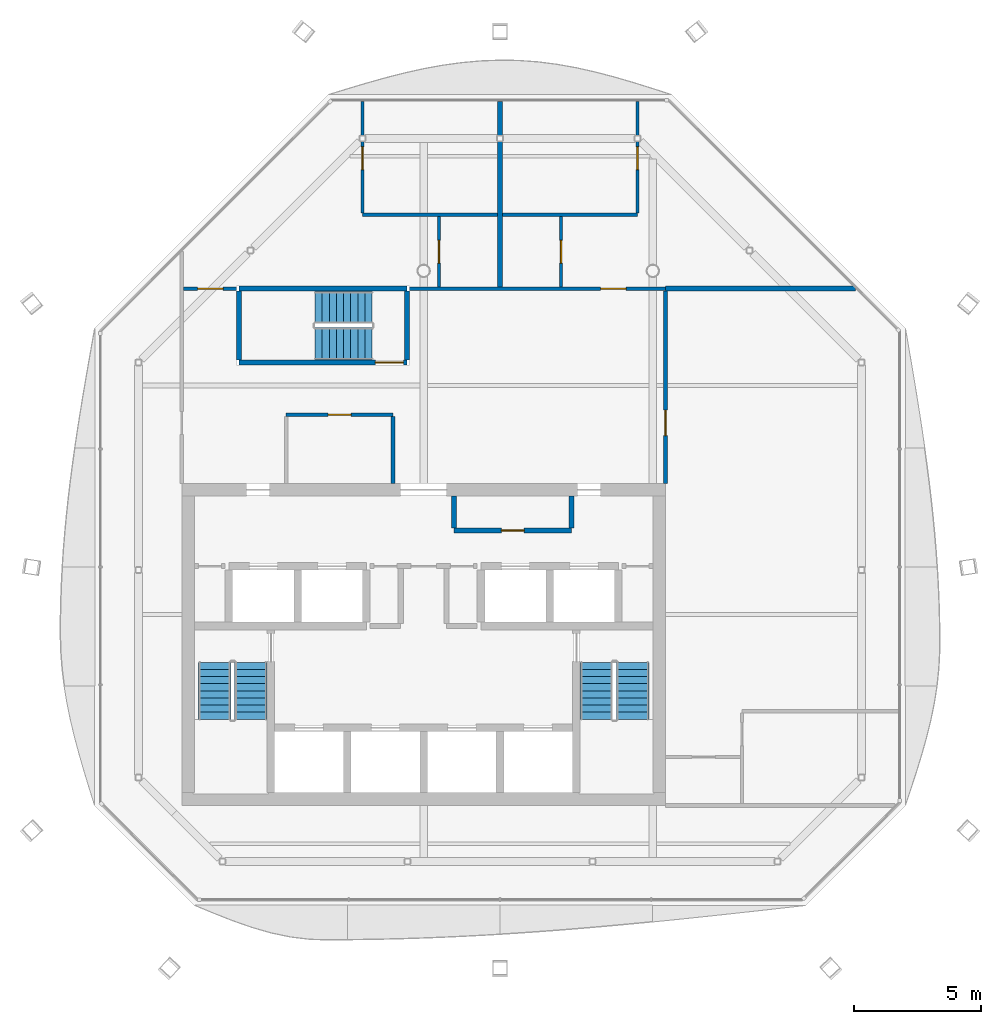
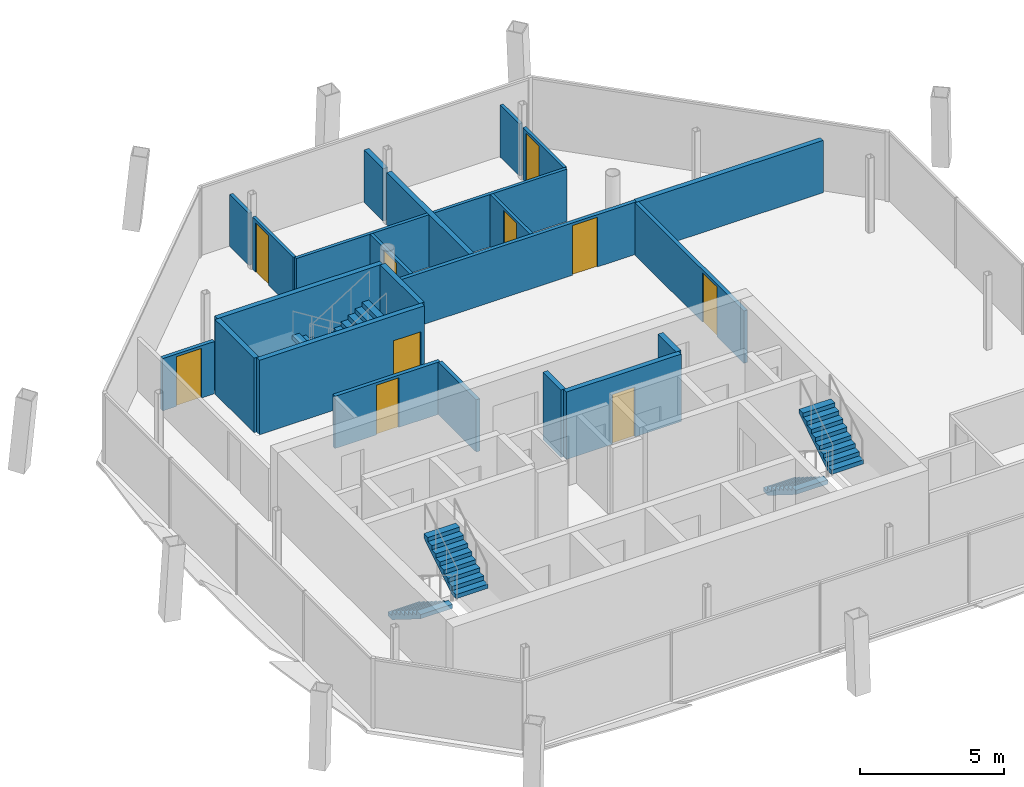
# One storey, part 10 of 13: 22 walls, 10 doors, 6 stair flights, 10 openings, 3 elements without a shape of their own.
"""IFC4 building model written with IfcOpenShell, lengths in metres."""

from ifc_helpers import new_model, si_unit, direction, frame, frame_2d, origin, place, context, subcontext, project, spatial, polyline, rectangle, outline, extrude, material, layer, layer_set, type_object, element, fill, aggregate, save


model = new_model("IFC4")

# Units and contexts
model_context = context("Model", 3, precision=1e-05, world=origin(), true_north=direction((0.0, 1.0)))
body_context = subcontext(model_context, "Body", "Model", "MODEL_VIEW")
ifc_project = project(units=[si_unit("LENGTHUNIT", "METRE"), si_unit("AREAUNIT", "SQUARE_METRE"), si_unit("VOLUMEUNIT", "CUBIC_METRE"), si_unit("PLANEANGLEUNIT", "RADIAN"), si_unit("MASSUNIT", "GRAM", prefix="KILO")], contexts=[model_context])

# Site, building, storey
site_placement = place(None, origin())
site = spatial("IfcSite", under=ifc_project, at=site_placement, CompositionType="ELEMENT")
building_placement = place(site_placement, origin())
building = spatial("IfcBuilding", under=site, at=building_placement, Name="Tskaro Facet Tower", CompositionType="ELEMENT")
storey_placement = place(building_placement, frame((0.0, 0.0, 284.699951171875)))
storey = spatial("IfcBuildingStorey", under=building, at=storey_placement, Name="L76", CompositionType="ELEMENT", Elevation=284.699951171875)

# Wall, opening, door
ifc_material_1 = material(Name="Concrete C20/25", Category="concrete")
ifc_layer_1 = layer(ifc_material_1, 0.199951171875, Name="Concrete C20/25")
ifc_layer_set_1 = layer_set([ifc_layer_1], Name="Concrete C20/25")
wall_type_1 = type_object("IfcWallType", Name="CORE-WALL", PredefinedType="SOLIDWALL", material=ifc_layer_set_1)
wall_1_placement = place(storey_placement, frame((1.199951171875, -1.199951171875, 0.0), z_axis=(0.0, 0.0, 1.0), x_axis=(1.0, 0.0, 0.0)))
wall_1 = element("IfcWall", 1, at=wall_1_placement, inside=storey, type_object=wall_type_1, Name="Core room wall W014", PredefinedType="SOLIDWALL", context=body_context, shape_type="SweptSolid", body=[
    extrude(rectangle(XDim=4.60009765625, YDim=0.199951171875, at=frame_2d((2.300048828125, 0.0))), origin(), (0.0, 0.0, 1.0), 2.85009765625),
])
opening_1_placement = place(wall_1_placement, frame((1.85009765625, 0.0, 0.0)))
opening_1 = element("IfcOpeningElement", 2, at=opening_1_placement, cuts=wall_1, Name="Opening T22-D07", PredefinedType="OPENING", context=body_context, shape_type="SweptSolid", body=[
    extrude(rectangle(XDim=0.89990234375, YDim=2.10009765625, at=frame_2d((0.449951171875, 1.050048828125))), frame((0.0, 0.10986328125, 0.0), z_axis=(0.0, -1.0, 0.0), x_axis=(1.0, 0.0, 0.0)), (0.0, 0.0, 1.0), 0.219970703125),
])
ifc_material_2 = material(Name="Timber", Category="wood")
door_type_1 = type_object("IfcDoorType", Name="D-ROOM", OperationType="NOTDEFINED", PredefinedType="DOOR", material=ifc_material_2)
door_1_placement = place(opening_1_placement, origin())
door_1 = element("IfcDoor", 3, at=door_1_placement, inside=storey, type_object=door_type_1, Name="Door T22-D07", OperationType="SINGLE_SWING_LEFT", OverallHeight=2.10009765625, OverallWidth=0.89990234375, PredefinedType="DOOR", context=body_context, shape_type="SweptSolid", body=[
    extrude(rectangle(XDim=0.89990234375, YDim=2.10009765625, at=frame_2d((0.449951171875, 1.050048828125))), frame((0.0, 0.02490234375, 0.0), z_axis=(0.0, -1.0, 0.0), x_axis=(1.0, 0.0, 0.0)), (0.0, 0.0, 1.0), 0.050048828125),
])
fill(opening_1, door_1)

# Walls
for number, where, z_axis, x_axis, name in (
    (4, (1.199951171875, -1.10009765625, 0.0), (0.0, 0.0, 1.0), (0.0, 1.0, 0.0), "Core room wall W038"),
    (5, (5.800048828125, -1.10009765625, 0.0), (0.0, 0.0, 1.0), (0.0, 1.0, 0.0), "Core room wall W045"),
):
    element("IfcWall", number, at=place(storey_placement, frame(where, z_axis=z_axis, x_axis=x_axis)), inside=storey, type_object=wall_type_1, Name=name, PredefinedType="SOLIDWALL", context=body_context, shape_type="SweptSolid", body=[
        extrude(rectangle(XDim=1.25, YDim=0.199951171875, at=frame_2d((0.625, 0.0))), origin(), (0.0, 0.0, 1.0), 2.85009765625),
    ])
ifc_material_3 = material(Name="Gypsum board on steel studs", Category="steel")
ifc_layer_2 = layer(ifc_material_3, 0.125, Name="Gypsum board on steel studs")
ifc_layer_set_2 = layer_set([ifc_layer_2], Name="Gypsum board on steel studs")
wall_type_2 = type_object("IfcWallType", Name="PART", PredefinedType="PARTITIONING", material=ifc_layer_set_2)
wall_2_placement = place(storey_placement, frame((-2.39990234375, 11.199951171875, 0.0), z_axis=(0.0, 0.0, 1.0), x_axis=(1.0, 0.0, 0.0)))
element("IfcWall", 6, at=wall_2_placement, inside=storey, type_object=wall_type_2, Name="Partition W021", PredefinedType="PARTITIONING", context=body_context, shape_type="SweptSolid", body=[
    extrude(rectangle(XDim=10.804931640625, YDim=0.125, at=frame_2d((5.40234375, 0.0))), origin(), (0.0, 0.0, 1.0), 2.2099609375),
])

# Wall, opening, door
wall_3_placement = place(storey_placement, frame((-2.39990234375, 14.074951171875, 0.0), z_axis=(0.0, 0.0, 1.0), x_axis=(0.0, -1.0, 0.0)))
wall_3 = element("IfcWall", 7, at=wall_3_placement, inside=storey, type_object=wall_type_2, Name="Partition W029", PredefinedType="PARTITIONING", context=body_context, shape_type="SweptSolid", body=[
    extrude(rectangle(XDim=2.8125, YDim=0.125, at=frame_2d((1.40625, 0.0))), origin(), (0.0, 0.0, 1.0), 2.2099609375),
])
opening_2_placement = place(wall_3_placement, frame((0.200927734375, 0.0, 0.0)))
opening_2 = element("IfcOpeningElement", 8, at=opening_2_placement, cuts=wall_3, Name="Opening T22-D18", PredefinedType="OPENING", context=body_context, shape_type="SweptSolid", body=[
    extrude(rectangle(XDim=0.89990234375, YDim=2.10009765625, at=frame_2d((0.449951171875, 1.050048828125))), frame((0.0, 0.072509765625, 0.0), z_axis=(0.0, -1.0, 0.0), x_axis=(1.0, 0.0, 0.0)), (0.0, 0.0, 1.0), 0.14501953125),
])
door_2_placement = place(opening_2_placement, origin())
door_2 = element("IfcDoor", 9, at=door_2_placement, inside=storey, type_object=door_type_1, Name="Door T22-D18", OperationType="SINGLE_SWING_RIGHT", OverallHeight=2.10009765625, OverallWidth=0.89990234375, PredefinedType="DOOR", context=body_context, shape_type="SweptSolid", body=[
    extrude(rectangle(XDim=0.89990234375, YDim=2.10009765625, at=frame_2d((0.449951171875, 1.050048828125))), frame((0.0, 0.02490234375, 0.0), z_axis=(0.0, -1.0, 0.0), x_axis=(1.0, 0.0, 0.0)), (0.0, 0.0, 1.0), 0.050048828125),
])
fill(opening_2, door_2)

# Wall
wall_4_placement = place(storey_placement, frame((-2.39990234375, 14.324951171875, 0.0), z_axis=(0.0, 0.0, 1.0), x_axis=(0.0, 1.0, 0.0)))
element("IfcWall", 10, at=wall_4_placement, inside=storey, type_object=wall_type_2, Name="Partition W030", PredefinedType="PARTITIONING", context=body_context, shape_type="SweptSolid", body=[
    extrude(rectangle(XDim=1.322998046875, YDim=0.125, at=frame_2d((0.66162109375, 0.0))), origin(), (0.0, 0.0, 1.0), 2.2099609375),
])

# Wall, opening, door
wall_5_placement = place(storey_placement, frame((0.60009765625, 11.137451171875, 0.0), z_axis=(0.0, 0.0, 1.0), x_axis=(0.0, -1.0, 0.0)))
wall_5 = element("IfcWall", 11, at=wall_5_placement, inside=storey, type_object=wall_type_2, Name="Partition W036", PredefinedType="PARTITIONING", context=body_context, shape_type="SweptSolid", body=[
    extrude(rectangle(XDim=2.762451171875, YDim=0.125, at=frame_2d((1.38134765625, 0.0))), origin(), (0.0, 0.0, 1.0), 2.2099609375),
])
opening_3_placement = place(wall_5_placement, frame((0.9375, 0.0, 0.0)))
opening_3 = element("IfcOpeningElement", 12, at=opening_3_placement, cuts=wall_5, Name="Opening T22-D16", PredefinedType="OPENING", context=body_context, shape_type="SweptSolid", body=[
    extrude(rectangle(XDim=0.89990234375, YDim=2.10009765625, at=frame_2d((0.449951171875, 1.050048828125))), frame((0.0, 0.072509765625, 0.0), z_axis=(0.0, -1.0, 0.0), x_axis=(1.0, 0.0, 0.0)), (0.0, 0.0, 1.0), 0.14501953125),
])
door_3_placement = place(opening_3_placement, origin())
door_3 = element("IfcDoor", 13, at=door_3_placement, inside=storey, type_object=door_type_1, Name="Door T22-D16", OperationType="SINGLE_SWING_RIGHT", OverallHeight=2.10009765625, OverallWidth=0.89990234375, PredefinedType="DOOR", context=body_context, shape_type="SweptSolid", body=[
    extrude(rectangle(XDim=0.89990234375, YDim=2.10009765625, at=frame_2d((0.449951171875, 1.050048828125))), frame((0.0, 0.02490234375, 0.0), z_axis=(0.0, -1.0, 0.0), x_axis=(1.0, 0.0, 0.0)), (0.0, 0.0, 1.0), 0.050048828125),
])
fill(opening_3, door_3)

wall_6_placement = place(storey_placement, frame((5.39990234375, 8.375, 0.0), z_axis=(0.0, 0.0, 1.0), x_axis=(0.0, 1.0, 0.0)))
wall_6 = element("IfcWall", 14, at=wall_6_placement, inside=storey, type_object=wall_type_2, Name="Partition W044", PredefinedType="PARTITIONING", context=body_context, shape_type="SweptSolid", body=[
    extrude(rectangle(XDim=2.762451171875, YDim=0.125, at=frame_2d((1.38134765625, 0.0))), origin(), (0.0, 0.0, 1.0), 2.2099609375),
])
opening_4_placement = place(wall_6_placement, frame((0.925048828125, 0.0, 0.0)))
opening_4 = element("IfcOpeningElement", 15, at=opening_4_placement, cuts=wall_6, Name="Opening T22-D17", PredefinedType="OPENING", context=body_context, shape_type="SweptSolid", body=[
    extrude(rectangle(XDim=0.89990234375, YDim=2.10009765625, at=frame_2d((0.449951171875, 1.050048828125))), frame((0.0, 0.072509765625, 0.0), z_axis=(0.0, -1.0, 0.0), x_axis=(1.0, 0.0, 0.0)), (0.0, 0.0, 1.0), 0.14501953125),
])
door_4_placement = place(opening_4_placement, origin())
door_4 = element("IfcDoor", 16, at=door_4_placement, inside=storey, type_object=door_type_1, Name="Door T22-D17", OperationType="SINGLE_SWING_LEFT", OverallHeight=2.10009765625, OverallWidth=0.89990234375, PredefinedType="DOOR", context=body_context, shape_type="SweptSolid", body=[
    extrude(rectangle(XDim=0.89990234375, YDim=2.10009765625, at=frame_2d((0.449951171875, 1.050048828125))), frame((0.0, 0.02490234375, 0.0), z_axis=(0.0, -1.0, 0.0), x_axis=(1.0, 0.0, 0.0)), (0.0, 0.0, 1.0), 0.050048828125),
])
fill(opening_4, door_4)

wall_7_placement = place(storey_placement, frame((8.405029296875, 11.262451171875, 0.0), z_axis=(0.0, 0.0, 1.0), x_axis=(0.0, 1.0, 0.0)))
wall_7 = element("IfcWall", 17, at=wall_7_placement, inside=storey, type_object=wall_type_2, Name="Partition W048", PredefinedType="PARTITIONING", context=body_context, shape_type="SweptSolid", body=[
    extrude(rectangle(XDim=2.8125, YDim=0.125, at=frame_2d((1.40625, 0.0))), origin(), (0.0, 0.0, 1.0), 2.2099609375),
])
opening_5_placement = place(wall_7_placement, frame((1.71142578125, 0.0, 0.0)))
opening_5 = element("IfcOpeningElement", 18, at=opening_5_placement, cuts=wall_7, Name="Opening T22-D19", PredefinedType="OPENING", context=body_context, shape_type="SweptSolid", body=[
    extrude(rectangle(XDim=0.89990234375, YDim=2.10009765625, at=frame_2d((0.449951171875, 1.050048828125))), frame((0.0, 0.072509765625, 0.0), z_axis=(0.0, -1.0, 0.0), x_axis=(1.0, 0.0, 0.0)), (0.0, 0.0, 1.0), 0.14501953125),
])
door_5_placement = place(opening_5_placement, origin())
door_5 = element("IfcDoor", 19, at=door_5_placement, inside=storey, type_object=door_type_1, Name="Door T22-D19", OperationType="SINGLE_SWING_LEFT", OverallHeight=2.10009765625, OverallWidth=0.89990234375, PredefinedType="DOOR", context=body_context, shape_type="SweptSolid", body=[
    extrude(rectangle(XDim=0.89990234375, YDim=2.10009765625, at=frame_2d((0.449951171875, 1.050048828125))), frame((0.0, 0.02490234375, 0.0), z_axis=(0.0, -1.0, 0.0), x_axis=(1.0, 0.0, 0.0)), (0.0, 0.0, 1.0), 0.050048828125),
])
fill(opening_5, door_5)

# Wall
wall_8_placement = place(storey_placement, frame((8.405029296875, 14.324951171875, 0.0), z_axis=(0.0, 0.0, 1.0), x_axis=(0.0, 1.0, 0.0)))
element("IfcWall", 20, at=wall_8_placement, inside=storey, type_object=wall_type_2, Name="Partition W049", PredefinedType="PARTITIONING", context=body_context, shape_type="SweptSolid", body=[
    extrude(rectangle(XDim=1.322998046875, YDim=0.125, at=frame_2d((0.66162109375, 0.0))), origin(), (0.0, 0.0, 1.0), 2.2099609375),
])

# Wall, opening, door
ifc_layer_3 = layer(ifc_material_3, 0.14990234375, Name="Gypsum board on steel studs")
ifc_layer_set_3 = layer_set([ifc_layer_3], Name="Gypsum board on steel studs")
wall_type_3 = type_object("IfcWallType", Name="PART-CORR", PredefinedType="PARTITIONING", material=ifc_layer_set_3)
wall_9_placement = place(storey_placement, frame((-1.199951171875, 3.35009765625, 0.0), z_axis=(0.0, 0.0, 1.0), x_axis=(-1.0, 0.0, 0.0)))
wall_9 = element("IfcWall", 21, at=wall_9_placement, inside=storey, type_object=wall_type_3, Name="Corridor wall W015", PredefinedType="PARTITIONING", context=body_context, shape_type="SweptSolid", body=[
    extrude(rectangle(XDim=4.199951171875, YDim=0.14990234375, at=frame_2d((2.10009765625, 0.0))), origin(), (0.0, 0.0, 1.0), 2.2099609375),
])
opening_6_placement = place(wall_9_placement, frame((1.64990234375, 0.0, 0.0)))
opening_6 = element("IfcOpeningElement", 22, at=opening_6_placement, cuts=wall_9, Name="Opening T22-D13", PredefinedType="OPENING", context=body_context, shape_type="SweptSolid", body=[
    extrude(rectangle(XDim=0.89990234375, YDim=2.10009765625, at=frame_2d((0.449951171875, 1.050048828125))), frame((0.0, 0.0849609375, 0.0), z_axis=(0.0, -1.0, 0.0), x_axis=(1.0, 0.0, 0.0)), (0.0, 0.0, 1.0), 0.169921875),
])
door_6_placement = place(opening_6_placement, origin())
door_6 = element("IfcDoor", 23, at=door_6_placement, inside=storey, type_object=door_type_1, Name="Door T22-D13", OperationType="SINGLE_SWING_RIGHT", OverallHeight=2.10009765625, OverallWidth=0.89990234375, PredefinedType="DOOR", context=body_context, shape_type="SweptSolid", body=[
    extrude(rectangle(XDim=0.89990234375, YDim=2.10009765625, at=frame_2d((0.449951171875, 1.050048828125))), frame((0.0, 0.02490234375, 0.0), z_axis=(0.0, -1.0, 0.0), x_axis=(1.0, 0.0, 0.0)), (0.0, 0.0, 1.0), 0.050048828125),
])
fill(opening_6, door_6)

wall_10_placement = place(storey_placement, frame((-9.425048828125, 8.300048828125, 0.0), z_axis=(0.0, 0.0, 1.0), x_axis=(1.0, 0.0, 0.0)))
wall_10 = element("IfcWall", 24, at=wall_10_placement, inside=storey, type_object=wall_type_3, Name="Corridor wall W017", PredefinedType="PARTITIONING", context=body_context, shape_type="SweptSolid", body=[
    extrude(rectangle(XDim=2.074951171875, YDim=0.14990234375, at=frame_2d((1.03759765625, 0.0))), origin(), (0.0, 0.0, 1.0), 2.2099609375),
])
opening_7_placement = place(wall_10_placement, frame((0.550048828125, 0.0, 0.0)))
opening_7 = element("IfcOpeningElement", 25, at=opening_7_placement, cuts=wall_10, Name="Opening T22-D14", PredefinedType="OPENING", context=body_context, shape_type="SweptSolid", body=[
    extrude(rectangle(XDim=1.0, YDim=2.10009765625, at=frame_2d((0.5, 1.050048828125))), frame((0.0, 0.0849609375, 0.0), z_axis=(0.0, -1.0, 0.0), x_axis=(1.0, 0.0, 0.0)), (0.0, 0.0, 1.0), 0.169921875),
])
door_type_2 = type_object("IfcDoorType", Name="D-FLAT-ENTRY", OperationType="NOTDEFINED", PredefinedType="DOOR", material=ifc_material_2)
door_7_placement = place(opening_7_placement, origin())
door_7 = element("IfcDoor", 26, at=door_7_placement, inside=storey, type_object=door_type_2, Name="Door T22-D14", OperationType="SINGLE_SWING_LEFT", OverallHeight=2.10009765625, OverallWidth=1.0, PredefinedType="DOOR", context=body_context, shape_type="SweptSolid", body=[
    extrude(rectangle(XDim=1.0, YDim=2.10009765625, at=frame_2d((0.5, 1.050048828125))), frame((0.0, 0.02490234375, 0.0), z_axis=(0.0, -1.0, 0.0), x_axis=(1.0, 0.0, 0.0)), (0.0, 0.0, 1.0), 0.050048828125),
])
fill(opening_7, door_7)

wall_11_placement = place(storey_placement, frame((-0.550048828125, 8.300048828125, 0.0), z_axis=(0.0, 0.0, 1.0), x_axis=(1.0, 0.0, 0.0)))
wall_11 = element("IfcWall", 27, at=wall_11_placement, inside=storey, type_object=wall_type_3, Name="Corridor wall W019", PredefinedType="PARTITIONING", context=body_context, shape_type="SweptSolid", body=[
    extrude(rectangle(XDim=10.050048828125, YDim=0.14990234375, at=frame_2d((5.02490234375, 0.0))), origin(), (0.0, 0.0, 1.0), 2.2099609375),
])
opening_8_placement = place(wall_11_placement, frame((7.5, 0.0, 0.0)))
opening_8 = element("IfcOpeningElement", 28, at=opening_8_placement, cuts=wall_11, Name="Opening T22-D15", PredefinedType="OPENING", context=body_context, shape_type="SweptSolid", body=[
    extrude(rectangle(XDim=1.0, YDim=2.10009765625, at=frame_2d((0.5, 1.050048828125))), frame((0.0, 0.0849609375, 0.0), z_axis=(0.0, -1.0, 0.0), x_axis=(1.0, 0.0, 0.0)), (0.0, 0.0, 1.0), 0.169921875),
])
door_8_placement = place(opening_8_placement, origin())
door_8 = element("IfcDoor", 29, at=door_8_placement, inside=storey, type_object=door_type_2, Name="Door T22-D15", OperationType="SINGLE_SWING_LEFT", OverallHeight=2.10009765625, OverallWidth=1.0, PredefinedType="DOOR", context=body_context, shape_type="SweptSolid", body=[
    extrude(rectangle(XDim=1.0, YDim=2.10009765625, at=frame_2d((0.5, 1.050048828125))), frame((0.0, 0.02490234375, 0.0), z_axis=(0.0, -1.0, 0.0), x_axis=(1.0, 0.0, 0.0)), (0.0, 0.0, 1.0), 0.050048828125),
])
fill(opening_8, door_8)

# Wall
wall_12_placement = place(storey_placement, frame((-1.199951171875, 0.64990234375, 0.0), z_axis=(0.0, 0.0, 1.0), x_axis=(0.0, 1.0, 0.0)))
element("IfcWall", 30, at=wall_12_placement, inside=storey, type_object=wall_type_3, Name="Corridor wall W032", PredefinedType="PARTITIONING", context=body_context, shape_type="SweptSolid", body=[
    extrude(rectangle(XDim=2.625, YDim=0.14990234375, at=frame_2d((1.3125, 0.0))), origin(), (0.0, 0.0, 1.0), 2.2099609375),
])

# Wall, opening, door
wall_13_placement = place(storey_placement, frame((9.5, 8.199951171875, 0.0), z_axis=(0.0, 0.0, 1.0), x_axis=(0.0, -1.0, 0.0)))
wall_13 = element("IfcWall", 31, at=wall_13_placement, inside=storey, type_object=wall_type_3, Name="Corridor wall W050", PredefinedType="PARTITIONING", context=body_context, shape_type="SweptSolid", body=[
    extrude(rectangle(XDim=7.550048828125, YDim=0.14990234375, at=frame_2d((3.77490234375, 0.0))), origin(), (0.0, 0.0, 1.0), 2.2099609375),
])
opening_9_placement = place(wall_13_placement, frame((4.675048828125, 0.0, 0.0)))
opening_9 = element("IfcOpeningElement", 32, at=opening_9_placement, cuts=wall_13, Name="Opening T22-D12", PredefinedType="OPENING", context=body_context, shape_type="SweptSolid", body=[
    extrude(rectangle(XDim=1.0, YDim=2.10009765625, at=frame_2d((0.5, 1.050048828125))), frame((0.0, 0.0849609375, 0.0), z_axis=(0.0, -1.0, 0.0), x_axis=(1.0, 0.0, 0.0)), (0.0, 0.0, 1.0), 0.169921875),
])
door_9_placement = place(opening_9_placement, origin())
door_9 = element("IfcDoor", 33, at=door_9_placement, inside=storey, type_object=door_type_2, Name="Door T22-D12", OperationType="SINGLE_SWING_LEFT", OverallHeight=2.10009765625, OverallWidth=1.0, PredefinedType="DOOR", context=body_context, shape_type="SweptSolid", body=[
    extrude(rectangle(XDim=1.0, YDim=2.10009765625, at=frame_2d((0.5, 1.050048828125))), frame((0.0, 0.02490234375, 0.0), z_axis=(0.0, -1.0, 0.0), x_axis=(1.0, 0.0, 0.0)), (0.0, 0.0, 1.0), 0.050048828125),
])
fill(opening_9, door_9)

# Walls
ifc_layer_4 = layer(ifc_material_3, 0.199951171875, Name="Gypsum board on steel studs")
ifc_layer_set_4 = layer_set([ifc_layer_4], Name="Gypsum board on steel studs")
wall_type_4 = type_object("IfcWallType", Name="PART-DEMISING", PredefinedType="PARTITIONING", material=ifc_layer_set_4)
wall_14_placement = place(storey_placement, frame((9.5, 8.300048828125, 0.0), z_axis=(0.0, 0.0, 1.0), x_axis=(1.0, 0.0, 0.0)))
element("IfcWall", 34, at=wall_14_placement, inside=storey, type_object=wall_type_4, Name="Guest room wall W020", PredefinedType="PARTITIONING", context=body_context, shape_type="SweptSolid", body=[
    extrude(rectangle(XDim=7.4541015625, YDim=0.199951171875, at=frame_2d((3.72705078125, 0.0))), origin(), (0.0, 0.0, 1.0), 2.2099609375),
])
wall_15_placement = place(storey_placement, frame((3.0, 8.375, 0.0), z_axis=(0.0, 0.0, 1.0), x_axis=(0.0, 1.0, 0.0)))
element("IfcWall", 35, at=wall_15_placement, inside=storey, type_object=wall_type_4, Name="Guest room wall W041", PredefinedType="PARTITIONING", context=body_context, shape_type="SweptSolid", body=[
    extrude(rectangle(XDim=5.699951171875, YDim=0.199951171875, at=frame_2d((2.85009765625, 0.0))), origin(), (0.0, 0.0, 1.0), 2.2099609375),
])
wall_16_placement = place(storey_placement, frame((3.0, 14.324951171875, 0.0), z_axis=(0.0, 0.0, 1.0), x_axis=(0.0, 1.0, 0.0)))
element("IfcWall", 36, at=wall_16_placement, inside=storey, type_object=wall_type_4, Name="Guest room wall W042", PredefinedType="PARTITIONING", context=body_context, shape_type="SweptSolid", body=[
    extrude(rectangle(XDim=1.322998046875, YDim=0.199951171875, at=frame_2d((0.66162109375, 0.0))), origin(), (0.0, 0.0, 1.0), 2.2099609375),
])

# Wall, opening, door
ifc_material_4 = material(Name="Concrete C60/75", Category="concrete")
ifc_layer_5 = layer(ifc_material_4, 0.199951171875, Name="Concrete C60/75")
ifc_layer_set_5 = layer_set([ifc_layer_5], Name="Concrete C60/75")
wall_type_5 = type_object("IfcWallType", Name="STAIR-WALL", PredefinedType="SHEAR", material=ifc_layer_set_5)
wall_17_placement = place(storey_placement, frame((-7.25, 5.39990234375, 0.0), z_axis=(0.0, 0.0, 1.0), x_axis=(1.0, 0.0, 0.0)))
wall_17 = element("IfcWall", 37, at=wall_17_placement, inside=storey, type_object=wall_type_5, Name="Stair wall W016", PredefinedType="SHEAR", context=body_context, shape_type="SweptSolid", body=[
    extrude(rectangle(XDim=6.60009765625, YDim=0.199951171875, at=frame_2d((3.300048828125, 0.0))), origin(), (0.0, 0.0, 1.0), 3.150146484375),
])
opening_10_placement = place(wall_17_placement, frame((5.35009765625, 0.0, 0.0)))
opening_10 = element("IfcOpeningElement", 38, at=opening_10_placement, cuts=wall_17, Name="Opening ST-3-D1", PredefinedType="OPENING", context=body_context, shape_type="SweptSolid", body=[
    extrude(rectangle(XDim=1.10009765625, YDim=2.10009765625, at=frame_2d((0.550048828125, 1.050048828125))), frame((0.0, 0.10986328125, 0.0), z_axis=(0.0, -1.0, 0.0), x_axis=(1.0, 0.0, 0.0)), (0.0, 0.0, 1.0), 0.219970703125),
])
ifc_material_5 = material(Name="Steel", Category="steel")
door_type_3 = type_object("IfcDoorType", Name="D-STAIR", OperationType="NOTDEFINED", PredefinedType="DOOR", material=ifc_material_5)
door_10_placement = place(opening_10_placement, origin())
door_10 = element("IfcDoor", 39, at=door_10_placement, inside=storey, type_object=door_type_3, Name="Stair door 3", OperationType="SINGLE_SWING_LEFT", OverallHeight=2.10009765625, OverallWidth=1.10009765625, PredefinedType="DOOR", context=body_context, shape_type="SweptSolid", body=[
    extrude(rectangle(XDim=1.10009765625, YDim=2.10009765625, at=frame_2d((0.550048828125, 1.050048828125))), frame((0.0, 0.02490234375, 0.0), z_axis=(0.0, -1.0, 0.0), x_axis=(1.0, 0.0, 0.0)), (0.0, 0.0, 1.0), 0.050048828125),
])
fill(opening_10, door_10)

# Walls
wall_18_placement = place(storey_placement, frame((-7.25, 8.300048828125, 0.0), z_axis=(0.0, 0.0, 1.0), x_axis=(1.0, 0.0, 0.0)))
element("IfcWall", 40, at=wall_18_placement, inside=storey, type_object=wall_type_5, Name="Stair wall W018", PredefinedType="SHEAR", context=body_context, shape_type="SweptSolid", body=[
    extrude(rectangle(XDim=6.60009765625, YDim=0.199951171875, at=frame_2d((3.300048828125, 0.0))), origin(), (0.0, 0.0, 1.0), 3.150146484375),
])
for number, where, z_axis, x_axis, name in (
    (41, (-7.25, 5.5, 0.0), (0.0, 0.0, 1.0), (0.0, 1.0, 0.0), "Stair wall W024"),
    (42, (-0.64990234375, 5.5, 0.0), (0.0, 0.0, 1.0), (0.0, 1.0, 0.0), "Stair wall W034"),
):
    element("IfcWall", number, at=place(storey_placement, frame(where, z_axis=z_axis, x_axis=x_axis)), inside=storey, type_object=wall_type_5, Name=name, PredefinedType="SHEAR", context=body_context, shape_type="SweptSolid", body=[
        extrude(rectangle(XDim=2.699951171875, YDim=0.199951171875, at=frame_2d((1.35009765625, 0.0))), origin(), (0.0, 0.0, 1.0), 3.150146484375),
    ])

# Stair, stair flights
ifc_material_6 = material(Name="Concrete C40/50", Category="concrete")
stair_type = type_object("IfcStairType", Name="ST-TWR", PredefinedType="HALF_TURN_STAIR", material=ifc_material_6)
stair_1_placement = place(storey_placement, origin())
stair_1 = element("IfcStair", 43, at=stair_1_placement, inside=storey, type_object=stair_type, Name="L76 Exit stair 1", PredefinedType="HALF_TURN_STAIR")
stair_flight_type = type_object("IfcStairFlightType", Name="SFL-RC", PredefinedType="STRAIGHT", material=ifc_material_6)
stair_flight_1_placement = place(storey_placement, frame((-8.21240234375, -6.375, 0.0), z_axis=(0.0, 0.0, 1.0), x_axis=(0.0, -1.0, 0.0)))
stair_flight_1 = element("IfcStairFlight", 44, at=stair_flight_1_placement, type_object=stair_flight_type, Name="ST-1 flight 1", NumberOfRisers=9, NumberOfTreads=8, PredefinedType="STRAIGHT", RiserHeight=0.175, TreadLength=0.28, context=body_context, shape_type="SweptSolid", body=[
    extrude(outline(polyline([(0.0, 0.0), (0.0, 0.175048828125), (0.280029296875, 0.175048828125), (0.280029296875, 0.35009765625), (0.56005859375, 0.35009765625), (0.56005859375, 0.52490234375), (0.840087890625, 0.52490234375), (0.840087890625, 0.699951171875), (1.1201171875, 0.699951171875), (1.1201171875, 0.875), (1.39990234375, 0.875), (1.39990234375, 1.050048828125), (1.679931640625, 1.050048828125), (1.679931640625, 1.22509765625), (1.9599609375, 1.22509765625), (1.9599609375, 1.39990234375), (2.239990234375, 1.39990234375), (2.239990234375, 1.574951171875), (2.239990234375, 1.22314453125), (0.28271484375, 0.0), (0.0, 0.0)])), frame((0.0, 0.637451171875, 0.0), z_axis=(0.0, -1.0, 0.0), x_axis=(1.0, 0.0, 0.0)), (0.0, 0.0, 1.0), 1.27490234375),
])
stair_flight_2_placement = place(storey_placement, frame((-6.78759765625, -8.614990234375, 1.574951171875), z_axis=(0.0, 0.0, 1.0), x_axis=(0.0, 1.0, 0.0)))
stair_flight_2 = element("IfcStairFlight", 45, at=stair_flight_2_placement, type_object=stair_flight_type, Name="ST-1 flight 2", NumberOfRisers=9, NumberOfTreads=8, PredefinedType="STRAIGHT", RiserHeight=0.175, TreadLength=0.28, context=body_context, shape_type="SweptSolid", body=[
    extrude(outline(polyline([(0.0, 0.0), (0.0, 0.175048828125), (0.280029296875, 0.175048828125), (0.280029296875, 0.35009765625), (0.56005859375, 0.35009765625), (0.56005859375, 0.52490234375), (0.840087890625, 0.52490234375), (0.840087890625, 0.699951171875), (1.1201171875, 0.699951171875), (1.1201171875, 0.875), (1.39990234375, 0.875), (1.39990234375, 1.050048828125), (1.679931640625, 1.050048828125), (1.679931640625, 1.22509765625), (1.9599609375, 1.22509765625), (1.9599609375, 1.39990234375), (2.239990234375, 1.39990234375), (2.239990234375, 1.574951171875), (2.239990234375, 1.22314453125), (0.28271484375, 0.0), (0.0, 0.0)])), frame((0.0, 0.637451171875, 0.0), z_axis=(0.0, -1.0, 0.0), x_axis=(1.0, 0.0, 0.0)), (0.0, 0.0, 1.0), 1.27490234375),
])
aggregate(stair_1, [stair_flight_1, stair_flight_2])

stair_2_placement = place(storey_placement, origin())
stair_2 = element("IfcStair", 46, at=stair_2_placement, inside=storey, type_object=stair_type, Name="L76 Exit stair 2", PredefinedType="HALF_TURN_STAIR")
stair_flight_3_placement = place(storey_placement, frame((6.78759765625, -6.375, 0.0), z_axis=(0.0, 0.0, 1.0), x_axis=(0.0, -1.0, 0.0)))
stair_flight_3 = element("IfcStairFlight", 47, at=stair_flight_3_placement, type_object=stair_flight_type, Name="ST-2 flight 1", NumberOfRisers=9, NumberOfTreads=8, PredefinedType="STRAIGHT", RiserHeight=0.175, TreadLength=0.28, context=body_context, shape_type="SweptSolid", body=[
    extrude(outline(polyline([(0.0, 0.0), (0.0, 0.175048828125), (0.280029296875, 0.175048828125), (0.280029296875, 0.35009765625), (0.56005859375, 0.35009765625), (0.56005859375, 0.52490234375), (0.840087890625, 0.52490234375), (0.840087890625, 0.699951171875), (1.1201171875, 0.699951171875), (1.1201171875, 0.875), (1.39990234375, 0.875), (1.39990234375, 1.050048828125), (1.679931640625, 1.050048828125), (1.679931640625, 1.22509765625), (1.9599609375, 1.22509765625), (1.9599609375, 1.39990234375), (2.239990234375, 1.39990234375), (2.239990234375, 1.574951171875), (2.239990234375, 1.22314453125), (0.28271484375, 0.0), (0.0, 0.0)])), frame((0.0, 0.637451171875, 0.0), z_axis=(0.0, -1.0, 0.0), x_axis=(1.0, 0.0, 0.0)), (0.0, 0.0, 1.0), 1.27490234375),
])
stair_flight_4_placement = place(storey_placement, frame((8.21240234375, -8.614990234375, 1.574951171875), z_axis=(0.0, 0.0, 1.0), x_axis=(0.0, 1.0, 0.0)))
stair_flight_4 = element("IfcStairFlight", 48, at=stair_flight_4_placement, type_object=stair_flight_type, Name="ST-2 flight 2", NumberOfRisers=9, NumberOfTreads=8, PredefinedType="STRAIGHT", RiserHeight=0.175, TreadLength=0.28, context=body_context, shape_type="SweptSolid", body=[
    extrude(outline(polyline([(0.0, 0.0), (0.0, 0.175048828125), (0.280029296875, 0.175048828125), (0.280029296875, 0.35009765625), (0.56005859375, 0.35009765625), (0.56005859375, 0.52490234375), (0.840087890625, 0.52490234375), (0.840087890625, 0.699951171875), (1.1201171875, 0.699951171875), (1.1201171875, 0.875), (1.39990234375, 0.875), (1.39990234375, 1.050048828125), (1.679931640625, 1.050048828125), (1.679931640625, 1.22509765625), (1.9599609375, 1.22509765625), (1.9599609375, 1.39990234375), (2.239990234375, 1.39990234375), (2.239990234375, 1.574951171875), (2.239990234375, 1.22314453125), (0.28271484375, 0.0), (0.0, 0.0)])), frame((0.0, 0.637451171875, 0.0), z_axis=(0.0, -1.0, 0.0), x_axis=(1.0, 0.0, 0.0)), (0.0, 0.0, 1.0), 1.27490234375),
])
aggregate(stair_2, [stair_flight_3, stair_flight_4])

stair_3_placement = place(storey_placement, origin())
stair_3 = element("IfcStair", 49, at=stair_3_placement, inside=storey, type_object=stair_type, Name="L76 Exit stair 3", PredefinedType="HALF_TURN_STAIR")
stair_flight_5_placement = place(storey_placement, frame((-2.02490234375, 7.5625, 0.0), z_axis=(0.0, 0.0, 1.0), x_axis=(-1.0, 0.0, 0.0)))
stair_flight_5 = element("IfcStairFlight", 50, at=stair_flight_5_placement, type_object=stair_flight_type, Name="ST-3 flight 1", NumberOfRisers=9, NumberOfTreads=8, PredefinedType="STRAIGHT", RiserHeight=0.175, TreadLength=0.28, context=body_context, shape_type="SweptSolid", body=[
    extrude(outline(polyline([(0.0, 0.0), (0.0, 0.175048828125), (0.280029296875, 0.175048828125), (0.280029296875, 0.35009765625), (0.56005859375, 0.35009765625), (0.56005859375, 0.52490234375), (0.840087890625, 0.52490234375), (0.840087890625, 0.699951171875), (1.1201171875, 0.699951171875), (1.1201171875, 0.875), (1.39990234375, 0.875), (1.39990234375, 1.050048828125), (1.679931640625, 1.050048828125), (1.679931640625, 1.22509765625), (1.9599609375, 1.22509765625), (1.9599609375, 1.39990234375), (2.239990234375, 1.39990234375), (2.239990234375, 1.574951171875), (2.239990234375, 1.22314453125), (0.28271484375, 0.0), (0.0, 0.0)])), frame((0.0, 0.637451171875, 0.0), z_axis=(0.0, -1.0, 0.0), x_axis=(1.0, 0.0, 0.0)), (0.0, 0.0, 1.0), 1.27490234375),
])
stair_flight_6_placement = place(storey_placement, frame((-4.264892578125, 6.137451171875, 1.574951171875), z_axis=(0.0, 0.0, 1.0), x_axis=(1.0, 0.0, 0.0)))
stair_flight_6 = element("IfcStairFlight", 51, at=stair_flight_6_placement, type_object=stair_flight_type, Name="ST-3 flight 2", NumberOfRisers=9, NumberOfTreads=8, PredefinedType="STRAIGHT", RiserHeight=0.175, TreadLength=0.28, context=body_context, shape_type="SweptSolid", body=[
    extrude(outline(polyline([(0.0, 0.0), (0.0, 0.175048828125), (0.280029296875, 0.175048828125), (0.280029296875, 0.35009765625), (0.56005859375, 0.35009765625), (0.56005859375, 0.52490234375), (0.840087890625, 0.52490234375), (0.840087890625, 0.699951171875), (1.1201171875, 0.699951171875), (1.1201171875, 0.875), (1.39990234375, 0.875), (1.39990234375, 1.050048828125), (1.679931640625, 1.050048828125), (1.679931640625, 1.22509765625), (1.9599609375, 1.22509765625), (1.9599609375, 1.39990234375), (2.239990234375, 1.39990234375), (2.239990234375, 1.574951171875), (2.239990234375, 1.22314453125), (0.28271484375, 0.0), (0.0, 0.0)])), frame((0.0, 0.637451171875, 0.0), z_axis=(0.0, -1.0, 0.0), x_axis=(1.0, 0.0, 0.0)), (0.0, 0.0, 1.0), 1.27490234375),
])
aggregate(stair_3, [stair_flight_5, stair_flight_6])

save(model, "model.ifc")
